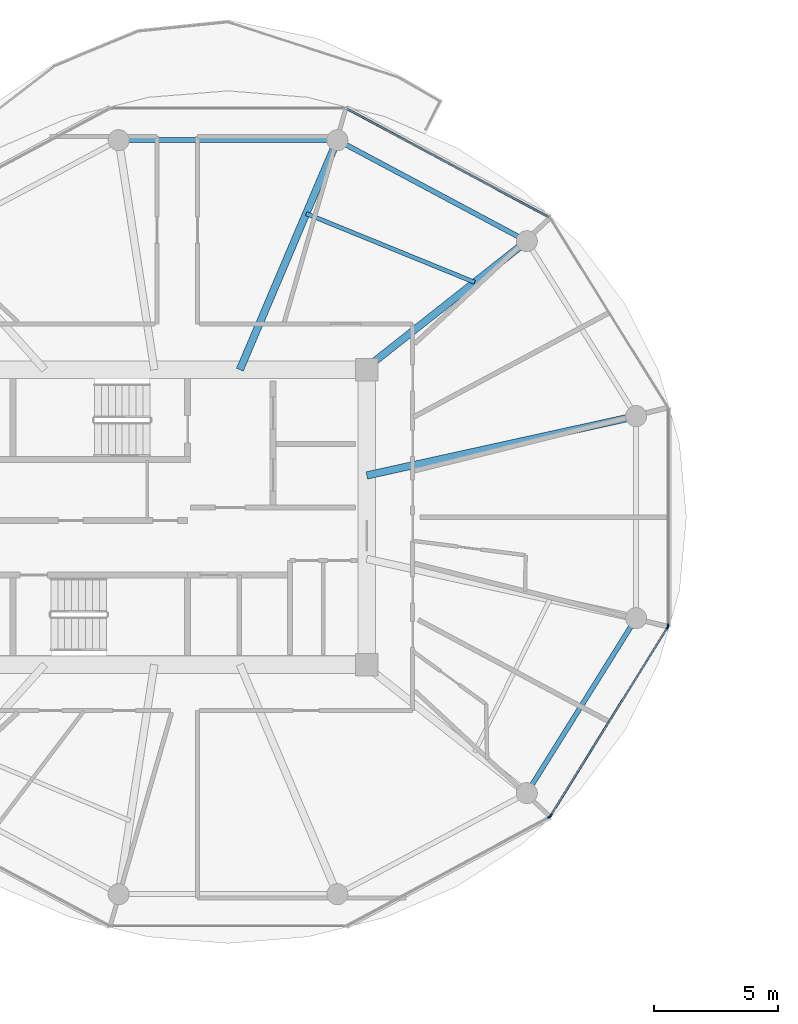
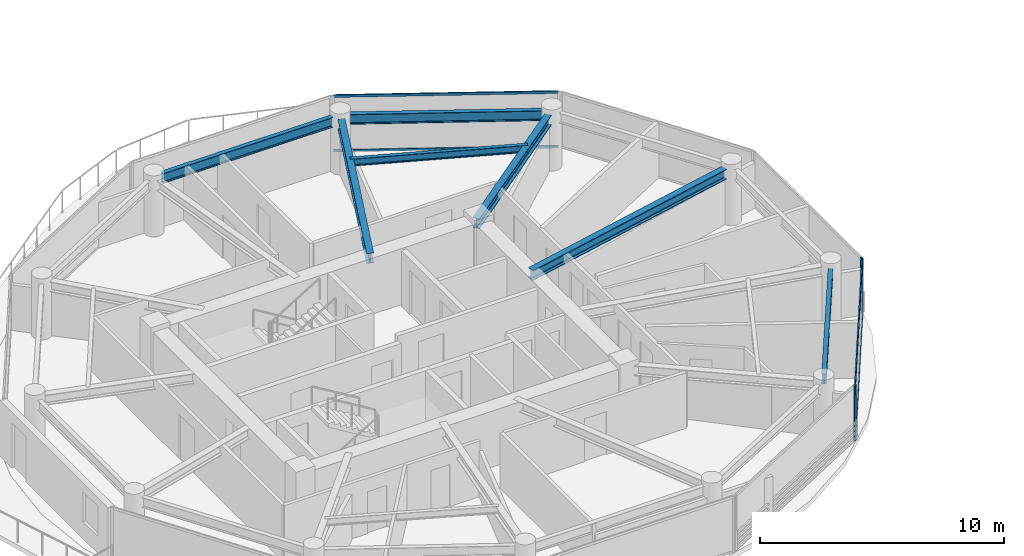
# One storey, part 5 of 24: 8 members, 7 beams, 4 elements without a shape of their own.
"""IFC4 building model written with IfcOpenShell, lengths in metres."""

import ifcopenshell
import ifcopenshell.guid

model = None  # the IFC model being written
_history = None  # IfcOwnerHistory: only IFC2X3 demands one
_inside = {}  # id of a spatial element -> (the spatial element, [elements in it])
_under = {}  # id of a project, library or spatial element -> (it, [spatial elements below it])
_declared = {}  # id of a project -> (the project, [libraries it declares])
_typed = {}  # id of a type object -> (the type object, [elements of that type])
_made_of = {}  # id of a material, layer set ... -> (it, [elements and type objects made of it])


def new_model(schema):
    """Start an empty IFC model of exactly this schema.

    Asked for "IFC4X3", IfcOpenShell would pick the latest addendum, in which some entities
    have other attributes; the version numbers below select the first issue.
    IFC2X3 requires an IfcOwnerHistory on every rooted entity: one is made here for all.
    """
    global model, _history
    if schema == "IFC4X3":
        model = ifcopenshell.file(schema_version=(4, 3, 0, 0))
    else:
        model = ifcopenshell.file(schema=schema)
    _inside.clear()
    _under.clear()
    _declared.clear()
    _typed.clear()
    _made_of.clear()
    _history = None
    if model.schema == "IFC2X3":
        org = make("IfcOrganization", Name="unknown")
        user = make(
            "IfcPersonAndOrganization",
            ThePerson=make("IfcPerson", FamilyName="unknown"),
            TheOrganization=org,
        )
        app = make(
            "IfcApplication",
            ApplicationDeveloper=org,
            Version="unknown",
            ApplicationFullName="unknown",
            ApplicationIdentifier="unknown",
        )
        _history = make(
            "IfcOwnerHistory",
            OwningUser=user,
            OwningApplication=app,
            ChangeAction="ADDED",
            CreationDate=0,
        )
    return model


def make(cls, **values):
    """One entity of the class cls with the attributes given. An attribute that is None is left unset."""
    return model.create_entity(
        cls, **{name: value for name, value in values.items() if value is not None}
    )


def rooted(cls, **values):
    """An entity with a GlobalId (a new one), such as an element, a storey or a relation."""
    return make(cls, GlobalId=ifcopenshell.guid.new(), OwnerHistory=_history, **values)


def si_unit(unit_type, name, prefix=None):
    """IfcSIUnit, for example si_unit("LENGTHUNIT", "METRE", prefix="MILLI")."""
    return make("IfcSIUnit", UnitType=unit_type, Prefix=prefix, Name=name)


def assignment(units):
    """IfcUnitAssignment: the units of a project."""
    return None if units is None else make("IfcUnitAssignment", Units=units)


def point(xyz):
    """IfcCartesianPoint."""
    return None if xyz is None else make("IfcCartesianPoint", Coordinates=xyz)


def direction(xyz):
    """IfcDirection."""
    return None if xyz is None else make("IfcDirection", DirectionRatios=xyz)


def frame(location, z_axis=None, x_axis=None):
    """IfcAxis2Placement3D, a coordinate frame: its origin and axes. An axis left out is left unset."""
    return make(
        "IfcAxis2Placement3D",
        Location=point(location),
        Axis=direction(z_axis),
        RefDirection=direction(x_axis),
    )


def frame_2d(location, x_axis=None):
    """IfcAxis2Placement2D, a coordinate frame in the plane: its origin and x axis."""
    return make(
        "IfcAxis2Placement2D", Location=point(location), RefDirection=direction(x_axis)
    )


def origin():
    """The frame at (0, 0, 0) with its axes left unset."""
    return frame((0.0, 0.0, 0.0))


def origin_2d():
    """The frame at (0, 0) in the plane with its x axis left unset."""
    return frame_2d((0.0, 0.0))


def place(relative_to, where):
    """IfcLocalPlacement: puts the frame where relative to a parent placement (None: the world)."""
    return make(
        "IfcLocalPlacement", PlacementRelTo=relative_to, RelativePlacement=where
    )


def context(
    kind, dimensions, precision=None, world=None, true_north=None, identifier=None
):
    """IfcGeometricRepresentationContext, for example the 3D "Model" context."""
    return make(
        "IfcGeometricRepresentationContext",
        ContextIdentifier=identifier,
        ContextType=kind,
        CoordinateSpaceDimension=dimensions,
        Precision=precision,
        WorldCoordinateSystem=world,
        TrueNorth=true_north,
    )


def subcontext(parent, identifier, kind, view, scale=None):
    """IfcGeometricRepresentationSubContext, for example "Body" below "Model"."""
    return make(
        "IfcGeometricRepresentationSubContext",
        ContextIdentifier=identifier,
        ContextType=kind,
        ParentContext=parent,
        TargetScale=scale,
        TargetView=view,
    )


def project(units=None, contexts=None):
    """IfcProject with its units and contexts."""
    return rooted(
        "IfcProject",
        Name="project",
        RepresentationContexts=contexts,
        UnitsInContext=assignment(units),
    )


def spatial(cls, under=None, at=None, **own):
    """A site, building, storey or space (cls), placed at a placement, below another one or the project."""
    s = rooted(cls, ObjectPlacement=at, **own)
    if under is not None:
        _under.setdefault(under.id(), (under, []))[1].append(s)
    return s


def profile(cls, at=None, kind="AREA", **sizes):
    """A parametric profile (cls). Its sizes go by their IFC names, for example OverallWidth=200.0."""
    return make(cls, ProfileType=kind, Position=at, **sizes)


def rectangle(**sizes):
    """IfcRectangleProfileDef."""
    return profile("IfcRectangleProfileDef", **sizes)


def i_section(**sizes):
    """IfcIShapeProfileDef."""
    return profile("IfcIShapeProfileDef", **sizes)


def extrude(swept, where, along, depth):
    """IfcExtrudedAreaSolid: the profile swept, set in the frame where, extruded along a direction by depth."""
    return make(
        "IfcExtrudedAreaSolid",
        SweptArea=swept,
        Position=where,
        ExtrudedDirection=direction(along),
        Depth=depth,
    )


def shape(context_of_items, identifier, shape_type, items):
    """IfcShapeRepresentation: the items that make up one representation, for example the "Body"."""
    return make(
        "IfcShapeRepresentation",
        ContextOfItems=context_of_items,
        RepresentationIdentifier=identifier,
        RepresentationType=shape_type,
        Items=items,
    )


def source(mapping_origin, context_of_items, identifier, shape_type, items):
    """IfcRepresentationMap: a shape defined once, which mapped items show again and again."""
    return make(
        "IfcRepresentationMap",
        MappingOrigin=mapping_origin,
        MappedRepresentation=shape(context_of_items, identifier, shape_type, items),
    )


def transform(
    local_origin,
    x_axis=None,
    y_axis=None,
    z_axis=None,
    scale=None,
    scale2=None,
    scale3=None,
    uniform=True,
):
    """IfcCartesianTransformationOperator3D, or its non-uniform kind. x_axis, y_axis, z_axis: its Axis1, 2, 3."""
    if uniform:
        return make(
            "IfcCartesianTransformationOperator3D",
            Axis1=direction(x_axis),
            Axis2=direction(y_axis),
            LocalOrigin=point(local_origin),
            Scale=scale,
            Axis3=direction(z_axis),
        )
    return make(
        "IfcCartesianTransformationOperator3DnonUniform",
        Axis1=direction(x_axis),
        Axis2=direction(y_axis),
        LocalOrigin=point(local_origin),
        Scale=scale,
        Axis3=direction(z_axis),
        Scale2=scale2,
        Scale3=scale3,
    )


def mapped(mapping_source, mapping_target):
    """IfcMappedItem: shows the shape of a source again, moved by a transform."""
    return make(
        "IfcMappedItem", MappingSource=mapping_source, MappingTarget=mapping_target
    )


def material(Name=None, Category=None):
    """IfcMaterial."""
    return make("IfcMaterial", Name=Name, Category=Category)


def layer(
    of_material, thickness, ventilated=None, Name=None, Category=None, Priority=None
):
    """IfcMaterialLayer: one layer of a wall or slab, of a material (None: an air gap)."""
    return make(
        "IfcMaterialLayer",
        Material=of_material,
        LayerThickness=thickness,
        IsVentilated=ventilated,
        Name=Name,
        Category=Category,
        Priority=Priority,
    )


def layer_set(layers, Name=None):
    """IfcMaterialLayerSet."""
    return make("IfcMaterialLayerSet", MaterialLayers=layers, LayerSetName=Name)


def material_profile(
    of_material, cross_section, Name=None, Category=None, Priority=None
):
    """IfcMaterialProfile: a cross section and its material."""
    return make(
        "IfcMaterialProfile",
        Name=Name,
        Material=of_material,
        Profile=cross_section,
        Priority=Priority,
        Category=Category,
    )


def profile_set(profiles, Name=None, composite=None):
    """IfcMaterialProfileSet."""
    return make(
        "IfcMaterialProfileSet",
        Name=Name,
        MaterialProfiles=profiles,
        CompositeProfile=composite,
    )


def made_of(thing, what):
    """Note that an element or type object is made of a material, layer set ...; save() writes the relation."""
    if what is not None:
        _made_of.setdefault(what.id(), (what, []))[1].append(thing)
    return thing


def type_object(cls, material=None, **own):
    """A type object (cls), such as IfcWallType, which elements share."""
    return made_of(rooted(cls, **own), material)


def type_shapes(of_type, sources):
    """Give a type object the sources (RepresentationMaps) that its elements show as mapped items."""
    of_type.RepresentationMaps = sources


def element(
    cls,
    number,
    at=None,
    inside=None,
    cuts=None,
    type_object=None,
    material=None,
    context=None,
    identifier="Body",
    shape_type=None,
    held_by="IfcProductDefinitionShape",
    body=None,
    shapes=None,
    **own,
):
    """One element of the class cls, such as IfcWall. Its Tag is "e" and its number.

    at: its placement. inside: the storey or other place that contains it. cuts: it is an
    opening in that element (IfcRelVoidsElement). A single representation is given by context,
    identifier, shape_type and body (its items); several are given by shapes. held_by: the class
    of the entity that holds the representations. save() writes the other relations.
    """
    e = rooted(cls, Tag="e%d" % number, ObjectPlacement=at, **own)
    if body is not None:
        shapes = [shape(context, identifier, shape_type, body)]
    if shapes is not None:
        e.Representation = make(held_by, Representations=shapes)
    if inside is not None:
        _inside.setdefault(inside.id(), (inside, []))[1].append(e)
    if cuts is not None:
        rooted(
            "IfcRelVoidsElement", RelatingBuildingElement=cuts, RelatedOpeningElement=e
        )
    if type_object is not None:
        _typed.setdefault(type_object.id(), (type_object, []))[1].append(e)
    return made_of(e, material)


def aggregate(whole, parts):
    """IfcRelAggregates: a whole, such as a stair, and the parts it consists of."""
    return rooted("IfcRelAggregates", RelatingObject=whole, RelatedObjects=parts)


def save(model, path):
    """Write the relations noted so far, then the file.

    IfcRelAggregates (storeys below a building ...), IfcRelContainedInSpatialStructure (elements
    in a storey), IfcRelDefinesByType, IfcRelAssociatesMaterial and IfcRelDeclares: one each for
    every whole, place, type object, material and project.
    """
    for whole, parts in _under.values():
        aggregate(whole, parts)
    for where, things in _inside.values():
        rooted(
            "IfcRelContainedInSpatialStructure",
            RelatedElements=things,
            RelatingStructure=where,
        )
    for kind, things in _typed.values():
        rooted("IfcRelDefinesByType", RelatedObjects=things, RelatingType=kind)
    for what, things in _made_of.values():
        rooted("IfcRelAssociatesMaterial", RelatedObjects=things, RelatingMaterial=what)
    for by, libraries in _declared.values():
        rooted("IfcRelDeclares", RelatingContext=by, RelatedDefinitions=libraries)
    model.write(path)


model = new_model("IFC4")

# Units and contexts
model_context = context("Model", 3, precision=1e-05, world=origin(), true_north=direction((0.0, 1.0)))
body_context = subcontext(model_context, "Body", "Model", "MODEL_VIEW")
ifc_project = project(units=[si_unit("LENGTHUNIT", "METRE"), si_unit("AREAUNIT", "SQUARE_METRE"), si_unit("VOLUMEUNIT", "CUBIC_METRE"), si_unit("PLANEANGLEUNIT", "RADIAN"), si_unit("MASSUNIT", "GRAM", prefix="KILO")], contexts=[model_context])

# Site, building, storey
site_placement = place(None, origin())
site = spatial("IfcSite", under=ifc_project, at=site_placement, CompositionType="ELEMENT")
building_placement = place(site_placement, origin())
building = spatial("IfcBuilding", under=site, at=building_placement, Name="Norrkilde Senior Care Towers", CompositionType="ELEMENT")
storey_placement = place(building_placement, frame((0.0, 0.0, 90.14990234375)))
storey = spatial("IfcBuildingStorey", under=building, at=storey_placement, Name="L27", CompositionType="ELEMENT", Elevation=90.14990234375)

# Beams
ifc_material_1 = material(Name="Steel S355", Category="steel")
ifc_material_profile_1 = material_profile(ifc_material_1, i_section(OverallWidth=0.199951171875, OverallDepth=0.5, WebThickness=0.01025390625, FlangeThickness=0.01611328125, FilletRadius=0.02099609375, at=origin_2d()), Name="IPE 500")
ifc_profile_set_1 = profile_set([ifc_material_profile_1], Name="Steel S355")
beam_type_1 = type_object("IfcBeamType", Name="Perimeter Ring Spandrel Z2 IPE500", PredefinedType="SPANDREL", material=ifc_profile_set_1)
shared_shape_1 = source(origin(), body_context, "Body", "SweptSolid", [
    extrude(i_section(OverallWidth=0.199951171875, OverallDepth=0.5, WebThickness=0.01025390625, FlangeThickness=0.01611328125, FilletRadius=0.02099609375, at=origin_2d()), origin(), (0.0, 0.0, 1.0), 7.55615234375),
])
beam_1_placement = place(storey_placement, frame((-13.689697265625, -10.810546875, 2.5400390625), z_axis=(0.529981514254, 0.848009194849, 0.0), x_axis=(-0.848009194849, 0.529981514254, 0.0)))
element("IfcBeam", 1, at=beam_1_placement, inside=storey, type_object=beam_type_1, Name="L27 Drum W Perimeter Spandrel 11", PredefinedType="SPANDREL", context=body_context, shape_type="MappedRepresentation", body=[
    mapped(shared_shape_1, transform((0.0, 0.0, 0.0), x_axis=(1.0, 0.0, 0.0), y_axis=(0.0, 1.0, 0.0), z_axis=(0.0, 0.0, 1.0), scale=1.0)),
])
ifc_material_profile_2 = material_profile(ifc_material_1, i_section(OverallWidth=0.300048828125, OverallDepth=0.5, WebThickness=0.014404296875, FlangeThickness=0.028076171875, FilletRadius=0.027099609375, at=origin_2d()), Name="HEB 500")
ifc_profile_set_2 = profile_set([ifc_material_profile_2], Name="Steel S355")
beam_type_2 = type_object("IfcBeamType", Name="Radial Floor Beam Z2 HEB500", PredefinedType="BEAM", material=ifc_profile_set_2)
shared_shape_2 = source(origin(), body_context, "Body", "SweptSolid", [
    extrude(i_section(OverallWidth=0.300048828125, OverallDepth=0.5, WebThickness=0.014404296875, FlangeThickness=0.028076171875, FilletRadius=0.027099609375, at=origin_2d()), origin(), (0.0, 0.0, 1.0), 10.744384765625),
])
beam_2_placement = place(storey_placement, frame((-20.35009765625, 1.683837890625, 2.5400390625), z_axis=(0.976618711422, 0.214978818724, 0.0), x_axis=(-0.214978818724, 0.976618711422, 0.0)))
element("IfcBeam", 2, at=beam_2_placement, inside=storey, type_object=beam_type_2, Name="L27 Drum W Radial Floor Beam 01", PredefinedType="BEAM", context=body_context, shape_type="MappedRepresentation", body=[
    mapped(shared_shape_2, transform((0.0, 0.0, 0.0), x_axis=(1.0, 0.0, 0.0), y_axis=(0.0, 1.0, 0.0), z_axis=(0.0, 0.0, 1.0), scale=1.0)),
])
shared_shape_3 = source(origin(), body_context, "Body", "SweptSolid", [
    extrude(i_section(OverallWidth=0.199951171875, OverallDepth=0.5, WebThickness=0.01025390625, FlangeThickness=0.01611328125, FilletRadius=0.02099609375, at=origin_2d()), origin(), (0.0, 0.0, 1.0), 7.892333984375),
])
beam_3_placement = place(storey_placement, frame((-14.233642578125, 11.318115234375, 2.5400390625), z_axis=(-0.882350372282, 0.47059305194, 0.0), x_axis=(-0.47059305194, -0.882350372282, 0.0)))
element("IfcBeam", 3, at=beam_3_placement, inside=storey, type_object=beam_type_1, Name="L27 Drum W Perimeter Spandrel 02", PredefinedType="SPANDREL", context=body_context, shape_type="MappedRepresentation", body=[
    mapped(shared_shape_3, transform((0.0, 0.0, 0.0), x_axis=(1.0, 0.0, 0.0), y_axis=(0.0, 1.0, 0.0), z_axis=(0.0, 0.0, 1.0), scale=1.0)),
])
shared_shape_4 = source(origin(), body_context, "Body", "SweptSolid", [
    extrude(i_section(OverallWidth=0.300048828125, OverallDepth=0.5, WebThickness=0.014404296875, FlangeThickness=0.028076171875, FilletRadius=0.027099609375, at=origin_2d()), origin(), (0.0, 0.0, 1.0), 7.985595703125),
])
beam_4_placement = place(storey_placement, frame((-20.463623046875, 5.949951171875, 2.5400390625), z_axis=(0.784858505144, 0.619675017169, 0.0), x_axis=(-0.619675017169, 0.784858505144, 0.0)))
element("IfcBeam", 4, at=beam_4_placement, inside=storey, type_object=beam_type_2, Name="L27 Drum W Radial Floor Beam 02", PredefinedType="BEAM", context=body_context, shape_type="MappedRepresentation", body=[
    mapped(shared_shape_4, transform((0.0, 0.0, 0.0), x_axis=(1.0, 0.0, 0.0), y_axis=(0.0, 1.0, 0.0), z_axis=(0.0, 0.0, 1.0), scale=1.0)),
])
shared_shape_5 = source(origin(), body_context, "Body", "SweptSolid", [
    extrude(i_section(OverallWidth=0.199951171875, OverallDepth=0.5, WebThickness=0.01025390625, FlangeThickness=0.01611328125, FilletRadius=0.02099609375, at=origin_2d()), origin(), (0.0, 0.0, 1.0), 8.0556640625),
])
type_shapes(beam_type_1, [shared_shape_1, shared_shape_3, shared_shape_5])
beam_5_placement = place(storey_placement, frame((-21.922119140625, 15.21337890625, 2.5400390625), z_axis=(-1.0, 0.0, 0.0), x_axis=(0.0, -1.0, 0.0)))
element("IfcBeam", 5, at=beam_5_placement, inside=storey, type_object=beam_type_1, Name="L27 Drum W Perimeter Spandrel 03", PredefinedType="SPANDREL", context=body_context, shape_type="MappedRepresentation", body=[
    mapped(shared_shape_5, transform((0.0, 0.0, 0.0), x_axis=(1.0, 0.0, 0.0), y_axis=(0.0, 1.0, 0.0), z_axis=(0.0, 0.0, 1.0), scale=1.0)),
])
shared_shape_6 = source(origin(), body_context, "Body", "SweptSolid", [
    extrude(i_section(OverallWidth=0.300048828125, OverallDepth=0.5, WebThickness=0.014404296875, FlangeThickness=0.028076171875, FilletRadius=0.027099609375, at=origin_2d()), origin(), (0.0, 0.0, 1.0), 9.679443359375),
])
type_shapes(beam_type_2, [shared_shape_2, shared_shape_4, shared_shape_6])
beam_6_placement = place(storey_placement, frame((-25.472412109375, 5.949951171875, 2.5400390625), z_axis=(0.390998033479, 0.920391513333, 0.0), x_axis=(-0.920391513333, 0.390998033479, 0.0)))
element("IfcBeam", 6, at=beam_6_placement, inside=storey, type_object=beam_type_2, Name="L27 Drum W Radial Floor Beam 03", PredefinedType="BEAM", context=body_context, shape_type="MappedRepresentation", body=[
    mapped(shared_shape_6, transform((0.0, 0.0, 0.0), x_axis=(1.0, 0.0, 0.0), y_axis=(0.0, 1.0, 0.0), z_axis=(0.0, 0.0, 1.0), scale=1.0)),
])
ifc_material_profile_3 = material_profile(ifc_material_1, i_section(OverallWidth=0.169921875, OverallDepth=0.360107421875, WebThickness=0.008056640625, FlangeThickness=0.0126953125, FilletRadius=0.01806640625, at=origin_2d()), Name="IPE 360")
ifc_profile_set_3 = profile_set([ifc_material_profile_3], Name="Steel S355")
beam_type_3 = type_object("IfcBeamType", Name="Secondary Floor Joist IPE360", PredefinedType="JOIST", material=ifc_profile_set_3)
shared_shape_7 = source(origin(), body_context, "Body", "SweptSolid", [
    extrude(i_section(OverallWidth=0.169921875, OverallDepth=0.360107421875, WebThickness=0.008056640625, FlangeThickness=0.0126953125, FilletRadius=0.01806640625, at=origin_2d()), origin(), (0.0, 0.0, 1.0), 7.343505859375),
])
type_shapes(beam_type_3, [shared_shape_7])
beam_7_placement = place(storey_placement, frame((-15.99609375, 9.47705078125, 2.610107421875), z_axis=(-0.926021784767, 0.377470070519, 0.0), x_axis=(-0.377470070519, -0.926021784767, 0.0)))
element("IfcBeam", 7, at=beam_7_placement, inside=storey, type_object=beam_type_3, Name="L27 Drum W Secondary Floor Joist 1", PredefinedType="JOIST", context=body_context, shape_type="MappedRepresentation", body=[
    mapped(shared_shape_7, transform((0.0, 0.0, 0.0), x_axis=(1.0, 0.0, 0.0), y_axis=(0.0, 1.0, 0.0), z_axis=(0.0, 0.0, 1.0), scale=1.0)),
])

# Curtain wall, member
ifc_material_2 = material(Name="Triple Low-E Insulated Glazing", Category="glass")
ifc_layer = layer(ifc_material_2, 0.195068359375)
ifc_layer_set = layer_set([ifc_layer], Name="Triple Low-E Insulated Glazing")
curtain_wall_type = type_object("IfcCurtainWallType", Name="CW3 Zone 2 Assisted Living Curtain Wall", PredefinedType="NOTDEFINED", material=ifc_layer_set)
curtain_wall_1_placement = place(storey_placement, origin())
curtain_wall_1 = element("IfcCurtainWall", 8, at=curtain_wall_1_placement, inside=storey, type_object=curtain_wall_type, Name="L27 Drum W Curtain Wall 09", PredefinedType="NOTDEFINED")
ifc_material_3 = material(Name="Anodised Aluminium", Category="aluminium")
ifc_material_profile_4 = material_profile(ifc_material_3, rectangle(XDim=0.06494140625, YDim=0.159912109375, at=origin_2d()), Name="ALU MULL 65x160")
ifc_profile_set_4 = profile_set([ifc_material_profile_4], Name="Anodised Aluminium")
member_type_1 = type_object("IfcMemberType", Name="Curtain Wall Mullion Z1-Z2 65x160", PredefinedType="MULLION", material=ifc_profile_set_4)
shared_shape_8 = source(origin(), body_context, "Body", "SweptSolid", [
    extrude(rectangle(XDim=0.06494140625, YDim=0.159912109375, at=origin_2d()), origin(), (0.0, 0.0, 1.0), 2.7900390625),
])
type_shapes(member_type_1, [shared_shape_8])
member_1_placement = place(storey_placement, frame((-12.98193359375, -12.0927734375, 0.0), z_axis=(0.0, 0.0, 1.0), x_axis=(0.472769402511, -0.881186184668, 0.0)))
member_1 = element("IfcMember", 9, at=member_1_placement, type_object=member_type_1, Name="CW-3 mullion 1", PredefinedType="MULLION", context=body_context, shape_type="MappedRepresentation", body=[
    mapped(shared_shape_8, transform((0.0, 0.0, 0.0), x_axis=(1.0, 0.0, 0.0), y_axis=(0.0, 1.0, 0.0), z_axis=(0.0, 0.0, 1.0), scale=1.0)),
])
aggregate(curtain_wall_1, [member_1])

# Curtain wall, members
curtain_wall_2_placement = place(storey_placement, origin())
curtain_wall_2 = element("IfcCurtainWall", 10, at=curtain_wall_2_placement, inside=storey, type_object=curtain_wall_type, Name="L27 Drum W Curtain Wall 10", PredefinedType="NOTDEFINED")
member_2_placement = place(storey_placement, frame((-8.21337890625, -4.4482421875, 0.0), z_axis=(0.0, 0.0, 1.0), x_axis=(0.849410171862, -0.527733228002, 0.0)))
member_2 = element("IfcMember", 11, at=member_2_placement, type_object=member_type_1, Name="CW-3 mullion 1", PredefinedType="MULLION", context=body_context, shape_type="MappedRepresentation", body=[
    mapped(shared_shape_8, transform((0.0, 0.0, 0.0), x_axis=(1.0, 0.0, 0.0), y_axis=(0.0, 1.0, 0.0), z_axis=(0.0, 0.0, 1.0), scale=1.0)),
])
member_3_placement = place(storey_placement, frame((-12.936279296875, -12.0498046875, 0.0), z_axis=(0.0, 0.0, 1.0), x_axis=(0.849410171862, -0.527733228002, 0.0)))
member_3 = element("IfcMember", 12, at=member_3_placement, type_object=member_type_1, Name="CW-3 mullion 2", PredefinedType="MULLION", context=body_context, shape_type="MappedRepresentation", body=[
    mapped(shared_shape_8, transform((0.0, 0.0, 0.0), x_axis=(1.0, 0.0, 0.0), y_axis=(0.0, 1.0, 0.0), z_axis=(0.0, 0.0, 1.0), scale=1.0)),
])

# Curtain wall, member
curtain_wall_3_placement = place(storey_placement, origin())
curtain_wall_3 = element("IfcCurtainWall", 13, at=curtain_wall_3_placement, inside=storey, type_object=curtain_wall_type, Name="L27 Drum W Curtain Wall 11", PredefinedType="NOTDEFINED")
member_4_placement = place(storey_placement, frame((-8.1962890625, -4.38818359375, 0.0), z_axis=(0.0, 0.0, 1.0), x_axis=(1.0, 0.0, 0.0)))
member_4 = element("IfcMember", 14, at=member_4_placement, type_object=member_type_1, Name="CW-3 mullion 2", PredefinedType="MULLION", context=body_context, shape_type="MappedRepresentation", body=[
    mapped(shared_shape_8, transform((0.0, 0.0, 0.0), x_axis=(1.0, 0.0, 0.0), y_axis=(0.0, 1.0, 0.0), z_axis=(0.0, 0.0, 1.0), scale=1.0)),
])
aggregate(curtain_wall_3, [member_4])

# Member
ifc_material_profile_5 = material_profile(ifc_material_3, rectangle(XDim=0.06005859375, YDim=0.1201171875, at=origin_2d()), Name="ALU TRAN 60x120")
ifc_profile_set_5 = profile_set([ifc_material_profile_5], Name="Anodised Aluminium")
member_type_2 = type_object("IfcMemberType", Name="Curtain Wall Transom Typical 60x120", PredefinedType="USERDEFINED", material=ifc_profile_set_5)
shared_shape_9 = source(origin(), body_context, "Body", "SweptSolid", [
    extrude(rectangle(XDim=0.06005859375, YDim=0.1201171875, at=origin_2d()), origin(), (0.0, 0.0, 1.0), 8.88427734375),
])
member_5_placement = place(storey_placement, frame((-8.23046875, -4.475830078125, 0.030029296875), z_axis=(-0.527749293309, -0.849400190377, 0.0), x_axis=(0.849400190377, -0.527749293309, 0.0)))
member_5 = element("IfcMember", 15, at=member_5_placement, type_object=member_type_2, Name="CW-3 transom 1.1", ObjectType="TRANSOM", PredefinedType="USERDEFINED", context=body_context, shape_type="MappedRepresentation", body=[
    mapped(shared_shape_9, transform((0.0, 0.0, 0.0), x_axis=(1.0, 0.0, 0.0), y_axis=(0.0, 1.0, 0.0), z_axis=(0.0, 0.0, 1.0), scale=1.0)),
])

member_6_placement = place(storey_placement, frame((-8.23046875, -4.475830078125, 2.760009765625), z_axis=(-0.527749293309, -0.849400190377, 0.0), x_axis=(0.849400190377, -0.527749293309, 0.0)))
member_6 = element("IfcMember", 16, at=member_6_placement, type_object=member_type_2, Name="CW-3 transom 1.2", ObjectType="TRANSOM", PredefinedType="USERDEFINED", context=body_context, shape_type="MappedRepresentation", body=[
    mapped(shared_shape_9, transform((0.0, 0.0, 0.0), x_axis=(1.0, 0.0, 0.0), y_axis=(0.0, 1.0, 0.0), z_axis=(0.0, 0.0, 1.0), scale=1.0)),
])

aggregate(curtain_wall_2, [member_2, member_3, member_5, member_6])

# Curtain wall, members
curtain_wall_4_placement = place(storey_placement, origin())
curtain_wall_4 = element("IfcCurtainWall", 17, at=curtain_wall_4_placement, inside=storey, type_object=curtain_wall_type, Name="L27 Drum W Curtain Wall 01", PredefinedType="NOTDEFINED")
shared_shape_10 = source(origin(), body_context, "Body", "SweptSolid", [
    extrude(rectangle(XDim=0.06005859375, YDim=0.1201171875, at=origin_2d()), origin(), (0.0, 0.0, 1.0), 9.220458984375),
])
type_shapes(member_type_2, [shared_shape_9, shared_shape_10])
member_7_placement = place(storey_placement, frame((-21.1357421875, 16.46728515625, 0.030029296875), z_axis=(0.881188517866, -0.472765053681, 0.0), x_axis=(0.472765053681, 0.881188517866, 0.0)))
member_7 = element("IfcMember", 18, at=member_7_placement, type_object=member_type_2, Name="CW-3 transom 1.1", ObjectType="TRANSOM", PredefinedType="USERDEFINED", context=body_context, shape_type="MappedRepresentation", body=[
    mapped(shared_shape_10, transform((0.0, 0.0, 0.0), x_axis=(1.0, 0.0, 0.0), y_axis=(0.0, 1.0, 0.0), z_axis=(0.0, 0.0, 1.0), scale=1.0)),
])
member_8_placement = place(storey_placement, frame((-21.1357421875, 16.46728515625, 2.760009765625), z_axis=(0.881188517866, -0.472765053681, 0.0), x_axis=(0.472765053681, 0.881188517866, 0.0)))
member_8 = element("IfcMember", 19, at=member_8_placement, type_object=member_type_2, Name="CW-3 transom 1.2", ObjectType="TRANSOM", PredefinedType="USERDEFINED", context=body_context, shape_type="MappedRepresentation", body=[
    mapped(shared_shape_10, transform((0.0, 0.0, 0.0), x_axis=(1.0, 0.0, 0.0), y_axis=(0.0, 1.0, 0.0), z_axis=(0.0, 0.0, 1.0), scale=1.0)),
])
aggregate(curtain_wall_4, [member_7, member_8])

save(model, "model.ifc")
